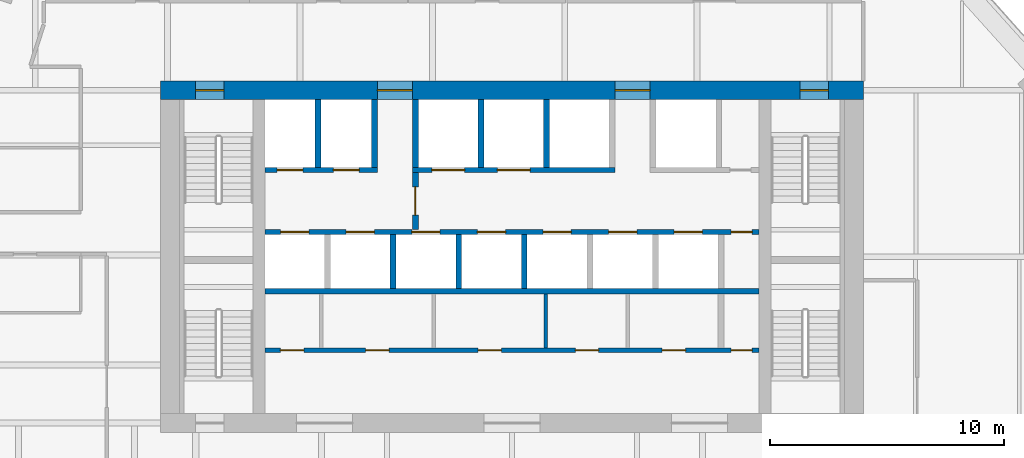
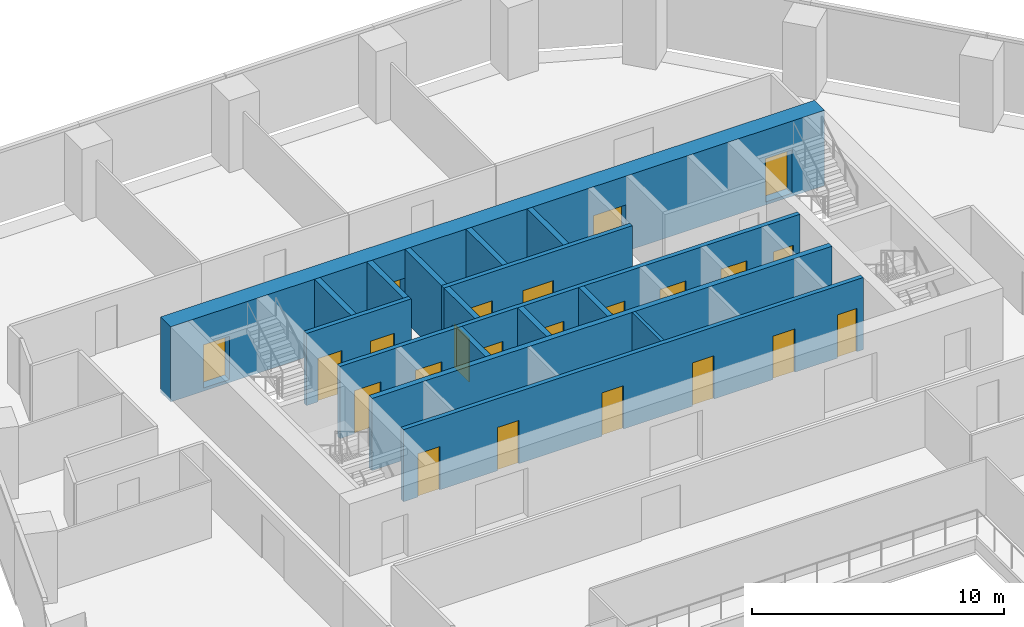
# One storey, part 12 of 16: 23 doors, 16 walls, 23 openings.
"""IFC4 building model written with IfcOpenShell, lengths in metres."""

from ifc_helpers import new_model, si_unit, direction, frame, frame_2d, origin, place, context, subcontext, project, spatial, rectangle, extrude, material, layer, layer_set, type_object, element, fill, save


model = new_model("IFC4")

# Units and contexts
model_context = context("Model", 3, precision=1e-05, world=origin(), true_north=direction((0.0, 1.0)))
body_context = subcontext(model_context, "Body", "Model", "MODEL_VIEW")
ifc_project = project(units=[si_unit("LENGTHUNIT", "METRE"), si_unit("AREAUNIT", "SQUARE_METRE"), si_unit("VOLUMEUNIT", "CUBIC_METRE"), si_unit("PLANEANGLEUNIT", "RADIAN"), si_unit("MASSUNIT", "GRAM", prefix="KILO")], contexts=[model_context])

# Site, building, storey
site_placement = place(None, origin())
site = spatial("IfcSite", under=ifc_project, at=site_placement, CompositionType="ELEMENT")
building_placement = place(site_placement, origin())
building = spatial("IfcBuilding", under=site, at=building_placement, Name="Isthmus Gate Tower", CompositionType="ELEMENT")
storey_placement = place(building_placement, frame((0.0, 0.0, 151.699951171875)))
storey = spatial("IfcBuildingStorey", under=building, at=storey_placement, Name="L37", CompositionType="ELEMENT", Elevation=151.699951171875)

# Wall, opening, door
ifc_material_1 = material(Name="Fire-rated blockwork masonry, 15 MPa", Category="masonry")
ifc_layer_1 = layer(ifc_material_1, 0.25)
ifc_layer_set_1 = layer_set([ifc_layer_1], Name="FIRE-FIGHTING LOBBY WALL 250 90 MIN")
wall_type_1 = type_object("IfcWallType", Name="FIRE-FIGHTING LOBBY WALL 250 90 MIN", PredefinedType="PARTITIONING", material=ifc_layer_set_1)
wall_1_placement = place(storey_placement, frame((-4.125, 8.64990234375, 0.0), z_axis=(0.0, 0.0, 1.0), x_axis=(0.0, 1.0, 0.0)))
wall_1 = element("IfcWall", 1, at=wall_1_placement, inside=storey, type_object=wall_type_1, Name="L37 FIRE-FIGHTING LOBBY WALL 250 90 MIN", PredefinedType="PARTITIONING", context=body_context, shape_type="SweptSolid", body=[
    extrude(rectangle(XDim=2.4501953125, YDim=0.25, at=frame_2d((1.22509765625, 0.0))), origin(), (0.0, 0.0, 1.0), 3.5),
])
opening_1_placement = place(wall_1_placement, frame((0.625, 0.0, 0.0)))
opening_1 = element("IfcOpeningElement", 2, at=opening_1_placement, cuts=wall_1, Name="Opening DC-A12-01", PredefinedType="OPENING", context=body_context, shape_type="SweptSolid", body=[
    extrude(rectangle(XDim=1.199951171875, YDim=2.10009765625, at=frame_2d((0.60009765625, 1.050048828125))), frame((0.0, 0.135009765625, 0.0), z_axis=(0.0, -1.0, 0.0), x_axis=(1.0, 0.0, 0.0)), (0.0, 0.0, 1.0), 0.27001953125),
])
ifc_material_2 = material(Name="Steel door leaf, fire-rated", Category="steel")
door_type_1 = type_object("IfcDoorType", Name="LOBBY FIRE DOOR 1200 X 2100 90 MIN", OperationType="DOUBLE_DOOR_SINGLE_SWING", PredefinedType="DOOR", material=ifc_material_2)
door_1_placement = place(opening_1_placement, origin())
door_1 = element("IfcDoor", 3, at=door_1_placement, inside=storey, type_object=door_type_1, Name="Fire-fighting Lobby Door", OperationType="SINGLE_SWING_LEFT", OverallHeight=2.10009765625, OverallWidth=1.199951171875, PredefinedType="DOOR", context=body_context, shape_type="SweptSolid", body=[
    extrude(rectangle(XDim=1.199951171875, YDim=2.10009765625, at=frame_2d((0.60009765625, 1.050048828125))), frame((0.0, 0.02490234375, 0.0), z_axis=(0.0, -1.0, 0.0), x_axis=(1.0, 0.0, 0.0)), (0.0, 0.0, 1.0), 0.050048828125),
])
fill(opening_1, door_1)

# Wall, openings, doors
ifc_material_3 = material(Name="Concrete f'c 60 MPa", Category="concrete")
ifc_layer_2 = layer(ifc_material_3, 0.800048828125)
ifc_layer_set_2 = layer_set([ifc_layer_2], Name="RC CORE WALL 800 F'C 60")
wall_type_2 = type_object("IfcWallType", Name="RC CORE WALL 800 F'C 60", PredefinedType="SOLIDWALL", material=ifc_layer_set_2)
wall_2_placement = place(storey_placement, frame((-15.0, 14.60009765625, -0.14990234375), z_axis=(0.0, 0.0, 1.0), x_axis=(1.0, 0.0, 0.0)))
wall_2 = element("IfcWall", 4, at=wall_2_placement, inside=storey, type_object=wall_type_2, Name="str-corewall-L37-N", PredefinedType="SOLIDWALL", context=body_context, shape_type="SweptSolid", body=[
    extrude(rectangle(XDim=30.0, YDim=0.800048828125, at=frame_2d((15.0, 0.0))), origin(), (0.0, 0.0, 1.0), 3.64990234375),
])
opening_2_placement = place(wall_2_placement, frame((9.25, 0.0, 0.14990234375)))
opening_2 = element("IfcOpeningElement", 5, at=opening_2_placement, cuts=wall_2, Name="Opening DC-A12-13", PredefinedType="OPENING", context=body_context, shape_type="SweptSolid", body=[
    extrude(rectangle(XDim=1.5, YDim=2.10009765625, at=frame_2d((0.75, 1.050048828125))), frame((0.0, 0.409912109375, 0.0), z_axis=(0.0, -1.0, 0.0), x_axis=(1.0, 0.0, 0.0)), (0.0, 0.0, 1.0), 0.820068359375),
])
opening_3_placement = place(wall_2_placement, frame((19.39990234375, 0.0, 0.14990234375)))
opening_3 = element("IfcOpeningElement", 6, at=opening_3_placement, cuts=wall_2, Name="Opening DC-A12-14", PredefinedType="OPENING", context=body_context, shape_type="SweptSolid", body=[
    extrude(rectangle(XDim=1.5, YDim=2.10009765625, at=frame_2d((0.75, 1.050048828125))), frame((0.0, 0.409912109375, 0.0), z_axis=(0.0, -1.0, 0.0), x_axis=(1.0, 0.0, 0.0)), (0.0, 0.0, 1.0), 0.820068359375),
])
opening_4_placement = place(wall_2_placement, frame((1.5, 0.0, 0.14990234375)))
opening_4 = element("IfcOpeningElement", 7, at=opening_4_placement, cuts=wall_2, Name="Opening DC-A12-15", PredefinedType="OPENING", context=body_context, shape_type="SweptSolid", body=[
    extrude(rectangle(XDim=1.199951171875, YDim=2.10009765625, at=frame_2d((0.60009765625, 1.050048828125))), frame((0.0, 0.409912109375, 0.0), z_axis=(0.0, -1.0, 0.0), x_axis=(1.0, 0.0, 0.0)), (0.0, 0.0, 1.0), 0.820068359375),
])
opening_5_placement = place(wall_2_placement, frame((27.300048828125, 0.0, 0.14990234375)))
opening_5 = element("IfcOpeningElement", 8, at=opening_5_placement, cuts=wall_2, Name="Opening DC-A12-16", PredefinedType="OPENING", context=body_context, shape_type="SweptSolid", body=[
    extrude(rectangle(XDim=1.199951171875, YDim=2.10009765625, at=frame_2d((0.60009765625, 1.050048828125))), frame((0.0, 0.409912109375, 0.0), z_axis=(0.0, -1.0, 0.0), x_axis=(1.0, 0.0, 0.0)), (0.0, 0.0, 1.0), 0.820068359375),
])
ifc_material_4 = material(Name="Steel door leaf, fire-rated", Category="steel")
door_type_2 = type_object("IfcDoorType", Name="LOBBY FIRE DOOR 1500 X 2100 60 MIN", OperationType="DOUBLE_DOOR_SINGLE_SWING", PredefinedType="DOOR", material=ifc_material_4)
door_2_placement = place(opening_3_placement, origin())
door_2 = element("IfcDoor", 9, at=door_2_placement, inside=storey, type_object=door_type_2, Name="Lobby Door PN-E", OperationType="DOUBLE_DOOR_SINGLE_SWING", OverallHeight=2.10009765625, OverallWidth=1.5, PredefinedType="DOOR", context=body_context, shape_type="SweptSolid", body=[
    extrude(rectangle(XDim=1.5, YDim=2.10009765625, at=frame_2d((0.75, 1.050048828125))), frame((0.0, 0.02490234375, 0.0), z_axis=(0.0, -1.0, 0.0), x_axis=(1.0, 0.0, 0.0)), (0.0, 0.0, 1.0), 0.050048828125),
])
fill(opening_3, door_2)
ifc_material_5 = material(Name="Steel door leaf, fire-rated", Category="steel")
door_type_3 = type_object("IfcDoorType", Name="LOBBY FIRE DOOR 1500 X 2100 90 MIN", OperationType="DOUBLE_DOOR_SINGLE_SWING", PredefinedType="DOOR", material=ifc_material_5)
door_3_placement = place(opening_2_placement, origin())
door_3 = element("IfcDoor", 10, at=door_3_placement, inside=storey, type_object=door_type_3, Name="Lobby Door PN-W", OperationType="DOUBLE_DOOR_SINGLE_SWING", OverallHeight=2.10009765625, OverallWidth=1.5, PredefinedType="DOOR", context=body_context, shape_type="SweptSolid", body=[
    extrude(rectangle(XDim=1.5, YDim=2.10009765625, at=frame_2d((0.75, 1.050048828125))), frame((0.0, 0.02490234375, 0.0), z_axis=(0.0, -1.0, 0.0), x_axis=(1.0, 0.0, 0.0)), (0.0, 0.0, 1.0), 0.050048828125),
])
fill(opening_2, door_3)
ifc_material_6 = material(Name="Steel door leaf, fire-rated", Category="steel")
door_type_4 = type_object("IfcDoorType", Name="STAIR FIRE DOOR 1200 X 2100 90 MIN", OperationType="SINGLE_SWING_LEFT", PredefinedType="DOOR", material=ifc_material_6)
door_4_placement = place(opening_4_placement, origin())
door_4 = element("IfcDoor", 11, at=door_4_placement, inside=storey, type_object=door_type_4, Name="Exit Stair 1 Door", OperationType="SINGLE_SWING_RIGHT", OverallHeight=2.10009765625, OverallWidth=1.199951171875, PredefinedType="DOOR", context=body_context, shape_type="SweptSolid", body=[
    extrude(rectangle(XDim=1.199951171875, YDim=2.10009765625, at=frame_2d((0.60009765625, 1.050048828125))), frame((0.0, 0.02490234375, 0.0), z_axis=(0.0, -1.0, 0.0), x_axis=(1.0, 0.0, 0.0)), (0.0, 0.0, 1.0), 0.050048828125),
])
fill(opening_4, door_4)
door_5_placement = place(opening_5_placement, origin())
door_5 = element("IfcDoor", 12, at=door_5_placement, inside=storey, type_object=door_type_4, Name="Exit Stair 2 Door", OperationType="SINGLE_SWING_LEFT", OverallHeight=2.10009765625, OverallWidth=1.199951171875, PredefinedType="DOOR", context=body_context, shape_type="SweptSolid", body=[
    extrude(rectangle(XDim=1.199951171875, YDim=2.10009765625, at=frame_2d((0.60009765625, 1.050048828125))), frame((0.0, 0.02490234375, 0.0), z_axis=(0.0, -1.0, 0.0), x_axis=(1.0, 0.0, 0.0)), (0.0, 0.0, 1.0), 0.050048828125),
])
fill(opening_5, door_5)

# Wall
ifc_material_7 = material(Name="Gypsum board on steel studs, fire-rated", Category="steel")
ifc_layer_3 = layer(ifc_material_7, 0.14990234375)
ifc_layer_set_3 = layer_set([ifc_layer_3], Name="ROOM PARTITION 150 60 MIN")
wall_type_3 = type_object("IfcWallType", Name="ROOM PARTITION 150 60 MIN", PredefinedType="PARTITIONING", material=ifc_layer_set_3)
wall_3_placement = place(storey_placement, frame((1.449951171875, 3.60009765625, 0.0), z_axis=(0.0, 0.0, 1.0), x_axis=(0.0, 1.0, 0.0)))
element("IfcWall", 13, at=wall_3_placement, inside=storey, type_object=wall_type_3, Name="L37 ROOM PARTITION 150 60 MIN", PredefinedType="PARTITIONING", context=body_context, shape_type="SweptSolid", body=[
    extrude(rectangle(XDim=2.2998046875, YDim=0.14990234375, at=frame_2d((1.14990234375, 0.0))), origin(), (0.0, 0.0, 1.0), 3.5),
])

# Wall, openings, doors
ifc_material_8 = material(Name="Fire-rated blockwork masonry, 15 MPa", Category="masonry")
ifc_layer_4 = layer(ifc_material_8, 0.199951171875)
ifc_layer_set_4 = layer_set([ifc_layer_4], Name="SHAFT FRONT WALL 200 120 MIN")
wall_type_4 = type_object("IfcWallType", Name="SHAFT FRONT WALL 200 120 MIN", PredefinedType="PARTITIONING", material=ifc_layer_set_4)
wall_4_placement = place(storey_placement, frame((-10.550048828125, 3.5, 0.0), z_axis=(0.0, 0.0, 1.0), x_axis=(1.0, 0.0, 0.0)))
wall_4 = element("IfcWall", 14, at=wall_4_placement, inside=storey, type_object=wall_type_4, Name="L37 SHAFT FRONT WALL 200 120 MIN", PredefinedType="PARTITIONING", context=body_context, shape_type="SweptSolid", body=[
    extrude(rectangle(XDim=21.10009765625, YDim=0.199951171875, at=frame_2d((10.550048828125, 0.0))), origin(), (0.0, 0.0, 1.0), 3.5),
])
opening_6_placement = place(wall_4_placement, frame((0.66259765625, 0.0, 0.0)))
opening_6 = element("IfcOpeningElement", 15, at=opening_6_placement, cuts=wall_4, Name="Opening DC-A12-02", PredefinedType="OPENING", context=body_context, shape_type="SweptSolid", body=[
    extrude(rectangle(XDim=1.0, YDim=2.10009765625, at=frame_2d((0.5, 1.050048828125))), frame((0.0, 0.10986328125, 0.0), z_axis=(0.0, -1.0, 0.0), x_axis=(1.0, 0.0, 0.0)), (0.0, 0.0, 1.0), 0.219970703125),
])
opening_7_placement = place(wall_4_placement, frame((4.300048828125, 0.0, 0.0)))
opening_7 = element("IfcOpeningElement", 16, at=opening_7_placement, cuts=wall_4, Name="Opening DC-A12-03", PredefinedType="OPENING", context=body_context, shape_type="SweptSolid", body=[
    extrude(rectangle(XDim=1.0, YDim=2.10009765625, at=frame_2d((0.5, 1.050048828125))), frame((0.0, 0.10986328125, 0.0), z_axis=(0.0, -1.0, 0.0), x_axis=(1.0, 0.0, 0.0)), (0.0, 0.0, 1.0), 0.219970703125),
])
opening_8_placement = place(wall_4_placement, frame((9.10009765625, 0.0, 0.0)))
opening_8 = element("IfcOpeningElement", 17, at=opening_8_placement, cuts=wall_4, Name="Opening DC-A12-04", PredefinedType="OPENING", context=body_context, shape_type="SweptSolid", body=[
    extrude(rectangle(XDim=1.0, YDim=2.10009765625, at=frame_2d((0.5, 1.050048828125))), frame((0.0, 0.10986328125, 0.0), z_axis=(0.0, -1.0, 0.0), x_axis=(1.0, 0.0, 0.0)), (0.0, 0.0, 1.0), 0.219970703125),
])
opening_9_placement = place(wall_4_placement, frame((13.25, 0.0, 0.0)))
opening_9 = element("IfcOpeningElement", 18, at=opening_9_placement, cuts=wall_4, Name="Opening DC-A12-05", PredefinedType="OPENING", context=body_context, shape_type="SweptSolid", body=[
    extrude(rectangle(XDim=1.0, YDim=2.10009765625, at=frame_2d((0.5, 1.050048828125))), frame((0.0, 0.10986328125, 0.0), z_axis=(0.0, -1.0, 0.0), x_axis=(1.0, 0.0, 0.0)), (0.0, 0.0, 1.0), 0.219970703125),
])
opening_10_placement = place(wall_4_placement, frame((16.96240234375, 0.0, 0.0)))
opening_10 = element("IfcOpeningElement", 19, at=opening_10_placement, cuts=wall_4, Name="Opening DC-A12-06", PredefinedType="OPENING", context=body_context, shape_type="SweptSolid", body=[
    extrude(rectangle(XDim=1.0, YDim=2.10009765625, at=frame_2d((0.5, 1.050048828125))), frame((0.0, 0.10986328125, 0.0), z_axis=(0.0, -1.0, 0.0), x_axis=(1.0, 0.0, 0.0)), (0.0, 0.0, 1.0), 0.219970703125),
])
opening_11_placement = place(wall_4_placement, frame((19.89990234375, 0.0, 0.0)))
opening_11 = element("IfcOpeningElement", 20, at=opening_11_placement, cuts=wall_4, Name="Opening DC-A12-07", PredefinedType="OPENING", context=body_context, shape_type="SweptSolid", body=[
    extrude(rectangle(XDim=0.89990234375, YDim=2.10009765625, at=frame_2d((0.449951171875, 1.050048828125))), frame((0.0, 0.10986328125, 0.0), z_axis=(0.0, -1.0, 0.0), x_axis=(1.0, 0.0, 0.0)), (0.0, 0.0, 1.0), 0.219970703125),
])
ifc_material_9 = material(Name="Steel door leaf, fire-rated", Category="steel")
door_type_5 = type_object("IfcDoorType", Name="FIRE DOOR 1000 X 2100 60 MIN", OperationType="SINGLE_SWING_LEFT", PredefinedType="DOOR", material=ifc_material_9)
door_6_placement = place(opening_6_placement, origin())
door_6 = element("IfcDoor", 21, at=door_6_placement, inside=storey, type_object=door_type_5, Name="Accessible WC Door", OperationType="SINGLE_SWING_LEFT", OverallHeight=2.10009765625, OverallWidth=1.0, PredefinedType="DOOR", context=body_context, shape_type="SweptSolid", body=[
    extrude(rectangle(XDim=1.0, YDim=2.10009765625, at=frame_2d((0.5, 1.050048828125))), frame((0.0, 0.02490234375, 0.0), z_axis=(0.0, -1.0, 0.0), x_axis=(1.0, 0.0, 0.0)), (0.0, 0.0, 1.0), 0.050048828125),
])
fill(opening_6, door_6)
door_7_placement = place(opening_7_placement, origin())
door_7 = element("IfcDoor", 22, at=door_7_placement, inside=storey, type_object=door_type_5, Name="WC Women Door", OperationType="SINGLE_SWING_RIGHT", OverallHeight=2.10009765625, OverallWidth=1.0, PredefinedType="DOOR", context=body_context, shape_type="SweptSolid", body=[
    extrude(rectangle(XDim=1.0, YDim=2.10009765625, at=frame_2d((0.5, 1.050048828125))), frame((0.0, 0.02490234375, 0.0), z_axis=(0.0, -1.0, 0.0), x_axis=(1.0, 0.0, 0.0)), (0.0, 0.0, 1.0), 0.050048828125),
])
fill(opening_7, door_7)
door_8_placement = place(opening_8_placement, origin())
door_8 = element("IfcDoor", 23, at=door_8_placement, inside=storey, type_object=door_type_5, Name="WC Men Door", OperationType="SINGLE_SWING_LEFT", OverallHeight=2.10009765625, OverallWidth=1.0, PredefinedType="DOOR", context=body_context, shape_type="SweptSolid", body=[
    extrude(rectangle(XDim=1.0, YDim=2.10009765625, at=frame_2d((0.5, 1.050048828125))), frame((0.0, 0.02490234375, 0.0), z_axis=(0.0, -1.0, 0.0), x_axis=(1.0, 0.0, 0.0)), (0.0, 0.0, 1.0), 0.050048828125),
])
fill(opening_8, door_8)
door_9_placement = place(opening_9_placement, origin())
door_9 = element("IfcDoor", 24, at=door_9_placement, inside=storey, type_object=door_type_5, Name="Staff Room Door", OperationType="SINGLE_SWING_RIGHT", OverallHeight=2.10009765625, OverallWidth=1.0, PredefinedType="DOOR", context=body_context, shape_type="SweptSolid", body=[
    extrude(rectangle(XDim=1.0, YDim=2.10009765625, at=frame_2d((0.5, 1.050048828125))), frame((0.0, 0.02490234375, 0.0), z_axis=(0.0, -1.0, 0.0), x_axis=(1.0, 0.0, 0.0)), (0.0, 0.0, 1.0), 0.050048828125),
])
fill(opening_9, door_9)
door_10_placement = place(opening_10_placement, origin())
door_10 = element("IfcDoor", 25, at=door_10_placement, inside=storey, type_object=door_type_5, Name="Stationery Store Door", OperationType="SINGLE_SWING_LEFT", OverallHeight=2.10009765625, OverallWidth=1.0, PredefinedType="DOOR", context=body_context, shape_type="SweptSolid", body=[
    extrude(rectangle(XDim=1.0, YDim=2.10009765625, at=frame_2d((0.5, 1.050048828125))), frame((0.0, 0.02490234375, 0.0), z_axis=(0.0, -1.0, 0.0), x_axis=(1.0, 0.0, 0.0)), (0.0, 0.0, 1.0), 0.050048828125),
])
fill(opening_10, door_10)
ifc_material_10 = material(Name="Steel door leaf, fire-rated", Category="steel")
door_type_6 = type_object("IfcDoorType", Name="RISER FIRE DOOR 900 X 2100 90 MIN", OperationType="SINGLE_SWING_LEFT", PredefinedType="DOOR", material=ifc_material_10)
door_11_placement = place(opening_11_placement, origin())
door_11 = element("IfcDoor", 26, at=door_11_placement, inside=storey, type_object=door_type_6, Name="Riser Door", OperationType="SINGLE_SWING_RIGHT", OverallHeight=2.10009765625, OverallWidth=0.89990234375, PredefinedType="DOOR", context=body_context, shape_type="SweptSolid", body=[
    extrude(rectangle(XDim=0.89990234375, YDim=2.10009765625, at=frame_2d((0.449951171875, 1.050048828125))), frame((0.0, 0.02490234375, 0.0), z_axis=(0.0, -1.0, 0.0), x_axis=(1.0, 0.0, 0.0)), (0.0, 0.0, 1.0), 0.050048828125),
])
fill(opening_11, door_11)

wall_5_placement = place(storey_placement, frame((-10.550048828125, 8.550048828125, 0.0), z_axis=(0.0, 0.0, 1.0), x_axis=(1.0, 0.0, 0.0)))
wall_5 = element("IfcWall", 27, at=wall_5_placement, inside=storey, type_object=wall_type_4, Name="L37 SHAFT FRONT WALL 200 120 MIN", PredefinedType="PARTITIONING", context=body_context, shape_type="SweptSolid", body=[
    extrude(rectangle(XDim=21.10009765625, YDim=0.199951171875, at=frame_2d((10.550048828125, 0.0))), origin(), (0.0, 0.0, 1.0), 3.5),
])
opening_12_placement = place(wall_5_placement, frame((0.675048828125, 0.0, 0.0)))
opening_12 = element("IfcOpeningElement", 28, at=opening_12_placement, cuts=wall_5, Name="Opening LD-LB1", PredefinedType="OPENING", context=body_context, shape_type="SweptSolid", body=[
    extrude(rectangle(XDim=1.199951171875, YDim=2.10009765625, at=frame_2d((0.60009765625, 1.050048828125))), frame((0.0, 0.10986328125, 0.0), z_axis=(0.0, -1.0, 0.0), x_axis=(1.0, 0.0, 0.0)), (0.0, 0.0, 1.0), 0.219970703125),
])
opening_13_placement = place(wall_5_placement, frame((3.47509765625, 0.0, 0.0)))
opening_13 = element("IfcOpeningElement", 29, at=opening_13_placement, cuts=wall_5, Name="Opening LD-LB2", PredefinedType="OPENING", context=body_context, shape_type="SweptSolid", body=[
    extrude(rectangle(XDim=1.199951171875, YDim=2.10009765625, at=frame_2d((0.60009765625, 1.050048828125))), frame((0.0, 0.10986328125, 0.0), z_axis=(0.0, -1.0, 0.0), x_axis=(1.0, 0.0, 0.0)), (0.0, 0.0, 1.0), 0.219970703125),
])
opening_14_placement = place(wall_5_placement, frame((6.27490234375, 0.0, 0.0)))
opening_14 = element("IfcOpeningElement", 30, at=opening_14_placement, cuts=wall_5, Name="Opening LD-LB3", PredefinedType="OPENING", context=body_context, shape_type="SweptSolid", body=[
    extrude(rectangle(XDim=1.199951171875, YDim=2.10009765625, at=frame_2d((0.60009765625, 1.050048828125))), frame((0.0, 0.10986328125, 0.0), z_axis=(0.0, -1.0, 0.0), x_axis=(1.0, 0.0, 0.0)), (0.0, 0.0, 1.0), 0.219970703125),
])
opening_15_placement = place(wall_5_placement, frame((9.074951171875, 0.0, 0.0)))
opening_15 = element("IfcOpeningElement", 31, at=opening_15_placement, cuts=wall_5, Name="Opening LD-LB4", PredefinedType="OPENING", context=body_context, shape_type="SweptSolid", body=[
    extrude(rectangle(XDim=1.199951171875, YDim=2.10009765625, at=frame_2d((0.60009765625, 1.050048828125))), frame((0.0, 0.10986328125, 0.0), z_axis=(0.0, -1.0, 0.0), x_axis=(1.0, 0.0, 0.0)), (0.0, 0.0, 1.0), 0.219970703125),
])
opening_16_placement = place(wall_5_placement, frame((11.875, 0.0, 0.0)))
opening_16 = element("IfcOpeningElement", 32, at=opening_16_placement, cuts=wall_5, Name="Opening LD-LB5", PredefinedType="OPENING", context=body_context, shape_type="SweptSolid", body=[
    extrude(rectangle(XDim=1.199951171875, YDim=2.10009765625, at=frame_2d((0.60009765625, 1.050048828125))), frame((0.0, 0.10986328125, 0.0), z_axis=(0.0, -1.0, 0.0), x_axis=(1.0, 0.0, 0.0)), (0.0, 0.0, 1.0), 0.219970703125),
])
opening_17_placement = place(wall_5_placement, frame((14.675048828125, 0.0, 0.0)))
opening_17 = element("IfcOpeningElement", 33, at=opening_17_placement, cuts=wall_5, Name="Opening LD-LB6", PredefinedType="OPENING", context=body_context, shape_type="SweptSolid", body=[
    extrude(rectangle(XDim=1.199951171875, YDim=2.10009765625, at=frame_2d((0.60009765625, 1.050048828125))), frame((0.0, 0.10986328125, 0.0), z_axis=(0.0, -1.0, 0.0), x_axis=(1.0, 0.0, 0.0)), (0.0, 0.0, 1.0), 0.219970703125),
])
opening_18_placement = place(wall_5_placement, frame((17.47509765625, 0.0, 0.0)))
opening_18 = element("IfcOpeningElement", 34, at=opening_18_placement, cuts=wall_5, Name="Opening LD-LB7", PredefinedType="OPENING", context=body_context, shape_type="SweptSolid", body=[
    extrude(rectangle(XDim=1.199951171875, YDim=2.10009765625, at=frame_2d((0.60009765625, 1.050048828125))), frame((0.0, 0.10986328125, 0.0), z_axis=(0.0, -1.0, 0.0), x_axis=(1.0, 0.0, 0.0)), (0.0, 0.0, 1.0), 0.219970703125),
])
opening_19_placement = place(wall_5_placement, frame((19.89990234375, 0.0, 0.0)))
opening_19 = element("IfcOpeningElement", 35, at=opening_19_placement, cuts=wall_5, Name="Opening DC-A12-08", PredefinedType="OPENING", context=body_context, shape_type="SweptSolid", body=[
    extrude(rectangle(XDim=0.89990234375, YDim=2.10009765625, at=frame_2d((0.449951171875, 1.050048828125))), frame((0.0, 0.10986328125, 0.0), z_axis=(0.0, -1.0, 0.0), x_axis=(1.0, 0.0, 0.0)), (0.0, 0.0, 1.0), 0.219970703125),
])
ifc_material_11 = material(Name="Stainless steel sliding leaf", Category="steel")
door_type_7 = type_object("IfcDoorType", Name="LIFT LANDING FIRE DOOR 1200 X 2100 90 MIN", OperationType="DOUBLE_DOOR_SLIDING", PredefinedType="DOOR", material=ifc_material_11)
door_12_placement = place(opening_12_placement, origin())
door_12 = element("IfcDoor", 36, at=door_12_placement, inside=storey, type_object=door_type_7, Name="Lift Landing Door LB1", OperationType="DOUBLE_DOOR_SLIDING", OverallHeight=2.10009765625, OverallWidth=1.199951171875, PredefinedType="DOOR", context=body_context, shape_type="SweptSolid", body=[
    extrude(rectangle(XDim=1.199951171875, YDim=2.10009765625, at=frame_2d((0.60009765625, 1.050048828125))), frame((0.0, 0.02490234375, 0.0), z_axis=(0.0, -1.0, 0.0), x_axis=(1.0, 0.0, 0.0)), (0.0, 0.0, 1.0), 0.050048828125),
])
fill(opening_12, door_12)
door_13_placement = place(opening_13_placement, origin())
door_13 = element("IfcDoor", 37, at=door_13_placement, inside=storey, type_object=door_type_7, Name="Lift Landing Door LB2", OperationType="DOUBLE_DOOR_SLIDING", OverallHeight=2.10009765625, OverallWidth=1.199951171875, PredefinedType="DOOR", context=body_context, shape_type="SweptSolid", body=[
    extrude(rectangle(XDim=1.199951171875, YDim=2.10009765625, at=frame_2d((0.60009765625, 1.050048828125))), frame((0.0, 0.02490234375, 0.0), z_axis=(0.0, -1.0, 0.0), x_axis=(1.0, 0.0, 0.0)), (0.0, 0.0, 1.0), 0.050048828125),
])
fill(opening_13, door_13)
door_14_placement = place(opening_14_placement, origin())
door_14 = element("IfcDoor", 38, at=door_14_placement, inside=storey, type_object=door_type_7, Name="Lift Landing Door LB3", OperationType="DOUBLE_DOOR_SLIDING", OverallHeight=2.10009765625, OverallWidth=1.199951171875, PredefinedType="DOOR", context=body_context, shape_type="SweptSolid", body=[
    extrude(rectangle(XDim=1.199951171875, YDim=2.10009765625, at=frame_2d((0.60009765625, 1.050048828125))), frame((0.0, 0.02490234375, 0.0), z_axis=(0.0, -1.0, 0.0), x_axis=(1.0, 0.0, 0.0)), (0.0, 0.0, 1.0), 0.050048828125),
])
fill(opening_14, door_14)
door_15_placement = place(opening_15_placement, origin())
door_15 = element("IfcDoor", 39, at=door_15_placement, inside=storey, type_object=door_type_7, Name="Lift Landing Door LB4", OperationType="DOUBLE_DOOR_SLIDING", OverallHeight=2.10009765625, OverallWidth=1.199951171875, PredefinedType="DOOR", context=body_context, shape_type="SweptSolid", body=[
    extrude(rectangle(XDim=1.199951171875, YDim=2.10009765625, at=frame_2d((0.60009765625, 1.050048828125))), frame((0.0, 0.02490234375, 0.0), z_axis=(0.0, -1.0, 0.0), x_axis=(1.0, 0.0, 0.0)), (0.0, 0.0, 1.0), 0.050048828125),
])
fill(opening_15, door_15)
door_16_placement = place(opening_16_placement, origin())
door_16 = element("IfcDoor", 40, at=door_16_placement, inside=storey, type_object=door_type_7, Name="Lift Landing Door LB5", OperationType="DOUBLE_DOOR_SLIDING", OverallHeight=2.10009765625, OverallWidth=1.199951171875, PredefinedType="DOOR", context=body_context, shape_type="SweptSolid", body=[
    extrude(rectangle(XDim=1.199951171875, YDim=2.10009765625, at=frame_2d((0.60009765625, 1.050048828125))), frame((0.0, 0.02490234375, 0.0), z_axis=(0.0, -1.0, 0.0), x_axis=(1.0, 0.0, 0.0)), (0.0, 0.0, 1.0), 0.050048828125),
])
fill(opening_16, door_16)
door_17_placement = place(opening_17_placement, origin())
door_17 = element("IfcDoor", 41, at=door_17_placement, inside=storey, type_object=door_type_7, Name="Lift Landing Door LB6", OperationType="DOUBLE_DOOR_SLIDING", OverallHeight=2.10009765625, OverallWidth=1.199951171875, PredefinedType="DOOR", context=body_context, shape_type="SweptSolid", body=[
    extrude(rectangle(XDim=1.199951171875, YDim=2.10009765625, at=frame_2d((0.60009765625, 1.050048828125))), frame((0.0, 0.02490234375, 0.0), z_axis=(0.0, -1.0, 0.0), x_axis=(1.0, 0.0, 0.0)), (0.0, 0.0, 1.0), 0.050048828125),
])
fill(opening_17, door_17)
door_18_placement = place(opening_18_placement, origin())
door_18 = element("IfcDoor", 42, at=door_18_placement, inside=storey, type_object=door_type_7, Name="Lift Landing Door LB7", OperationType="DOUBLE_DOOR_SLIDING", OverallHeight=2.10009765625, OverallWidth=1.199951171875, PredefinedType="DOOR", context=body_context, shape_type="SweptSolid", body=[
    extrude(rectangle(XDim=1.199951171875, YDim=2.10009765625, at=frame_2d((0.60009765625, 1.050048828125))), frame((0.0, 0.02490234375, 0.0), z_axis=(0.0, -1.0, 0.0), x_axis=(1.0, 0.0, 0.0)), (0.0, 0.0, 1.0), 0.050048828125),
])
fill(opening_18, door_18)
door_19_placement = place(opening_19_placement, origin())
door_19 = element("IfcDoor", 43, at=door_19_placement, inside=storey, type_object=door_type_6, Name="Riser Door", OperationType="SINGLE_SWING_RIGHT", OverallHeight=2.10009765625, OverallWidth=0.89990234375, PredefinedType="DOOR", context=body_context, shape_type="SweptSolid", body=[
    extrude(rectangle(XDim=0.89990234375, YDim=2.10009765625, at=frame_2d((0.449951171875, 1.050048828125))), frame((0.0, 0.02490234375, 0.0), z_axis=(0.0, -1.0, 0.0), x_axis=(1.0, 0.0, 0.0)), (0.0, 0.0, 1.0), 0.050048828125),
])
fill(opening_19, door_19)

wall_6_placement = place(storey_placement, frame((-10.550048828125, 11.199951171875, 0.0), z_axis=(0.0, 0.0, 1.0), x_axis=(1.0, 0.0, 0.0)))
wall_6 = element("IfcWall", 44, at=wall_6_placement, inside=storey, type_object=wall_type_4, Name="L37 SHAFT FRONT WALL 200 120 MIN", PredefinedType="PARTITIONING", context=body_context, shape_type="SweptSolid", body=[
    extrude(rectangle(XDim=4.800048828125, YDim=0.199951171875, at=frame_2d((2.39990234375, 0.0))), origin(), (0.0, 0.0, 1.0), 3.5),
])
opening_20_placement = place(wall_6_placement, frame((0.52490234375, 0.0, 0.0)))
opening_20 = element("IfcOpeningElement", 45, at=opening_20_placement, cuts=wall_6, Name="Opening LD-LF1", PredefinedType="OPENING", context=body_context, shape_type="SweptSolid", body=[
    extrude(rectangle(XDim=1.10009765625, YDim=2.10009765625, at=frame_2d((0.550048828125, 1.050048828125))), frame((0.0, 0.10986328125, 0.0), z_axis=(0.0, -1.0, 0.0), x_axis=(1.0, 0.0, 0.0)), (0.0, 0.0, 1.0), 0.219970703125),
])
opening_21_placement = place(wall_6_placement, frame((2.925048828125, 0.0, 0.0)))
opening_21 = element("IfcOpeningElement", 46, at=opening_21_placement, cuts=wall_6, Name="Opening LD-LF2", PredefinedType="OPENING", context=body_context, shape_type="SweptSolid", body=[
    extrude(rectangle(XDim=1.10009765625, YDim=2.10009765625, at=frame_2d((0.550048828125, 1.050048828125))), frame((0.0, 0.10986328125, 0.0), z_axis=(0.0, -1.0, 0.0), x_axis=(1.0, 0.0, 0.0)), (0.0, 0.0, 1.0), 0.219970703125),
])
ifc_material_12 = material(Name="Stainless steel sliding leaf", Category="steel")
door_type_8 = type_object("IfcDoorType", Name="LIFT LANDING FIRE DOOR 1100 X 2100 90 MIN", OperationType="DOUBLE_DOOR_SLIDING", PredefinedType="DOOR", material=ifc_material_12)
door_20_placement = place(opening_20_placement, origin())
door_20 = element("IfcDoor", 47, at=door_20_placement, inside=storey, type_object=door_type_8, Name="Lift Landing Door LF1", OperationType="DOUBLE_DOOR_SLIDING", OverallHeight=2.10009765625, OverallWidth=1.10009765625, PredefinedType="DOOR", context=body_context, shape_type="SweptSolid", body=[
    extrude(rectangle(XDim=1.10009765625, YDim=2.10009765625, at=frame_2d((0.550048828125, 1.050048828125))), frame((0.0, 0.02490234375, 0.0), z_axis=(0.0, -1.0, 0.0), x_axis=(1.0, 0.0, 0.0)), (0.0, 0.0, 1.0), 0.050048828125),
])
fill(opening_20, door_20)
door_21_placement = place(opening_21_placement, origin())
door_21 = element("IfcDoor", 48, at=door_21_placement, inside=storey, type_object=door_type_8, Name="Lift Landing Door LF2", OperationType="DOUBLE_DOOR_SLIDING", OverallHeight=2.10009765625, OverallWidth=1.10009765625, PredefinedType="DOOR", context=body_context, shape_type="SweptSolid", body=[
    extrude(rectangle(XDim=1.10009765625, YDim=2.10009765625, at=frame_2d((0.550048828125, 1.050048828125))), frame((0.0, 0.02490234375, 0.0), z_axis=(0.0, -1.0, 0.0), x_axis=(1.0, 0.0, 0.0)), (0.0, 0.0, 1.0), 0.050048828125),
])
fill(opening_21, door_21)

wall_7_placement = place(storey_placement, frame((-4.25, 11.199951171875, 0.0), z_axis=(0.0, 0.0, 1.0), x_axis=(1.0, 0.0, 0.0)))
wall_7 = element("IfcWall", 49, at=wall_7_placement, inside=storey, type_object=wall_type_4, Name="L37 SHAFT FRONT WALL 200 120 MIN", PredefinedType="PARTITIONING", context=body_context, shape_type="SweptSolid", body=[
    extrude(rectangle(XDim=8.64990234375, YDim=0.199951171875, at=frame_2d((4.324951171875, 0.0))), origin(), (0.0, 0.0, 1.0), 3.5),
])
opening_22_placement = place(wall_7_placement, frame((0.824951171875, 0.0, 0.0)))
opening_22 = element("IfcOpeningElement", 50, at=opening_22_placement, cuts=wall_7, Name="Opening LD-LV1", PredefinedType="OPENING", context=body_context, shape_type="SweptSolid", body=[
    extrude(rectangle(XDim=1.39990234375, YDim=2.10009765625, at=frame_2d((0.699951171875, 1.050048828125))), frame((0.0, 0.10986328125, 0.0), z_axis=(0.0, -1.0, 0.0), x_axis=(1.0, 0.0, 0.0)), (0.0, 0.0, 1.0), 0.219970703125),
])
opening_23_placement = place(wall_7_placement, frame((3.625, 0.0, 0.0)))
opening_23 = element("IfcOpeningElement", 51, at=opening_23_placement, cuts=wall_7, Name="Opening LD-LV2", PredefinedType="OPENING", context=body_context, shape_type="SweptSolid", body=[
    extrude(rectangle(XDim=1.39990234375, YDim=2.10009765625, at=frame_2d((0.699951171875, 1.050048828125))), frame((0.0, 0.10986328125, 0.0), z_axis=(0.0, -1.0, 0.0), x_axis=(1.0, 0.0, 0.0)), (0.0, 0.0, 1.0), 0.219970703125),
])
ifc_material_13 = material(Name="Stainless steel sliding leaf", Category="steel")
door_type_9 = type_object("IfcDoorType", Name="LIFT LANDING FIRE DOOR 1400 X 2100 90 MIN", OperationType="DOUBLE_DOOR_SLIDING", PredefinedType="DOOR", material=ifc_material_13)
door_22_placement = place(opening_22_placement, origin())
door_22 = element("IfcDoor", 52, at=door_22_placement, inside=storey, type_object=door_type_9, Name="Lift Landing Door LV1", OperationType="DOUBLE_DOOR_SLIDING", OverallHeight=2.10009765625, OverallWidth=1.39990234375, PredefinedType="DOOR", context=body_context, shape_type="SweptSolid", body=[
    extrude(rectangle(XDim=1.39990234375, YDim=2.10009765625, at=frame_2d((0.699951171875, 1.050048828125))), frame((0.0, 0.02490234375, 0.0), z_axis=(0.0, -1.0, 0.0), x_axis=(1.0, 0.0, 0.0)), (0.0, 0.0, 1.0), 0.050048828125),
])
fill(opening_22, door_22)
door_23_placement = place(opening_23_placement, origin())
door_23 = element("IfcDoor", 53, at=door_23_placement, inside=storey, type_object=door_type_9, Name="Lift Landing Door LV2", OperationType="DOUBLE_DOOR_SLIDING", OverallHeight=2.10009765625, OverallWidth=1.39990234375, PredefinedType="DOOR", context=body_context, shape_type="SweptSolid", body=[
    extrude(rectangle(XDim=1.39990234375, YDim=2.10009765625, at=frame_2d((0.699951171875, 1.050048828125))), frame((0.0, 0.02490234375, 0.0), z_axis=(0.0, -1.0, 0.0), x_axis=(1.0, 0.0, 0.0)), (0.0, 0.0, 1.0), 0.050048828125),
])
fill(opening_23, door_23)

# Walls
ifc_material_14 = material(Name="Fire-rated blockwork masonry, 15 MPa", Category="masonry")
ifc_layer_5 = layer(ifc_material_14, 0.25)
ifc_layer_set_5 = layer_set([ifc_layer_5], Name="SHAFT WALL 250 120 MIN")
wall_type_5 = type_object("IfcWallType", Name="SHAFT WALL 250 120 MIN", PredefinedType="PARTITIONING", material=ifc_layer_set_5)
wall_8_placement = place(storey_placement, frame((-10.550048828125, 6.02490234375, 0.0), z_axis=(0.0, 0.0, 1.0), x_axis=(1.0, 0.0, 0.0)))
element("IfcWall", 54, at=wall_8_placement, inside=storey, type_object=wall_type_5, Name="L37 SHAFT WALL 250 120 MIN", PredefinedType="PARTITIONING", context=body_context, shape_type="SweptSolid", body=[
    extrude(rectangle(XDim=21.10009765625, YDim=0.25, at=frame_2d((10.550048828125, 0.0))), origin(), (0.0, 0.0, 1.0), 3.5),
])
for number, where, z_axis, x_axis, name in (
    (55, (-5.074951171875, 6.14990234375, 0.0), (0.0, 0.0, 1.0), (0.0, 1.0, 0.0), "L37 SHAFT WALL 250 120 MIN"),
    (56, (-2.27490234375, 6.14990234375, 0.0), (0.0, 0.0, 1.0), (0.0, 1.0, 0.0), "L37 SHAFT WALL 250 120 MIN"),
    (57, (0.52490234375, 6.14990234375, 0.0), (0.0, 0.0, 1.0), (0.0, 1.0, 0.0), "L37 SHAFT WALL 250 120 MIN"),
):
    element("IfcWall", number, at=place(storey_placement, frame(where, z_axis=z_axis, x_axis=x_axis)), inside=storey, type_object=wall_type_5, Name=name, PredefinedType="PARTITIONING", context=body_context, shape_type="SweptSolid", body=[
        extrude(rectangle(XDim=2.300048828125, YDim=0.25, at=frame_2d((1.14990234375, 0.0))), origin(), (0.0, 0.0, 1.0), 3.5),
    ])
for number, where, z_axis, x_axis, name in (
    (58, (-8.27490234375, 11.300048828125, 0.0), (0.0, 0.0, 1.0), (0.0, 1.0, 0.0), "L37 SHAFT WALL 250 120 MIN"),
    (59, (-5.875, 11.300048828125, 0.0), (0.0, 0.0, 1.0), (0.0, 1.0, 0.0), "L37 SHAFT WALL 250 120 MIN"),
    (60, (-4.125, 11.300048828125, 0.0), (0.0, 0.0, 1.0), (0.0, 1.0, 0.0), "L37 SHAFT WALL 250 120 MIN"),
    (61, (-1.324951171875, 11.300048828125, 0.0), (0.0, 0.0, 1.0), (0.0, 1.0, 0.0), "L37 SHAFT WALL 250 120 MIN"),
    (62, (1.47509765625, 11.300048828125, 0.0), (0.0, 0.0, 1.0), (0.0, 1.0, 0.0), "L37 SHAFT WALL 250 120 MIN"),
):
    element("IfcWall", number, at=place(storey_placement, frame(where, z_axis=z_axis, x_axis=x_axis)), inside=storey, type_object=wall_type_5, Name=name, PredefinedType="PARTITIONING", context=body_context, shape_type="SweptSolid", body=[
        extrude(rectangle(XDim=2.89990234375, YDim=0.25, at=frame_2d((1.449951171875, 0.0))), origin(), (0.0, 0.0, 1.0), 3.5),
    ])

save(model, "model.ifc")
